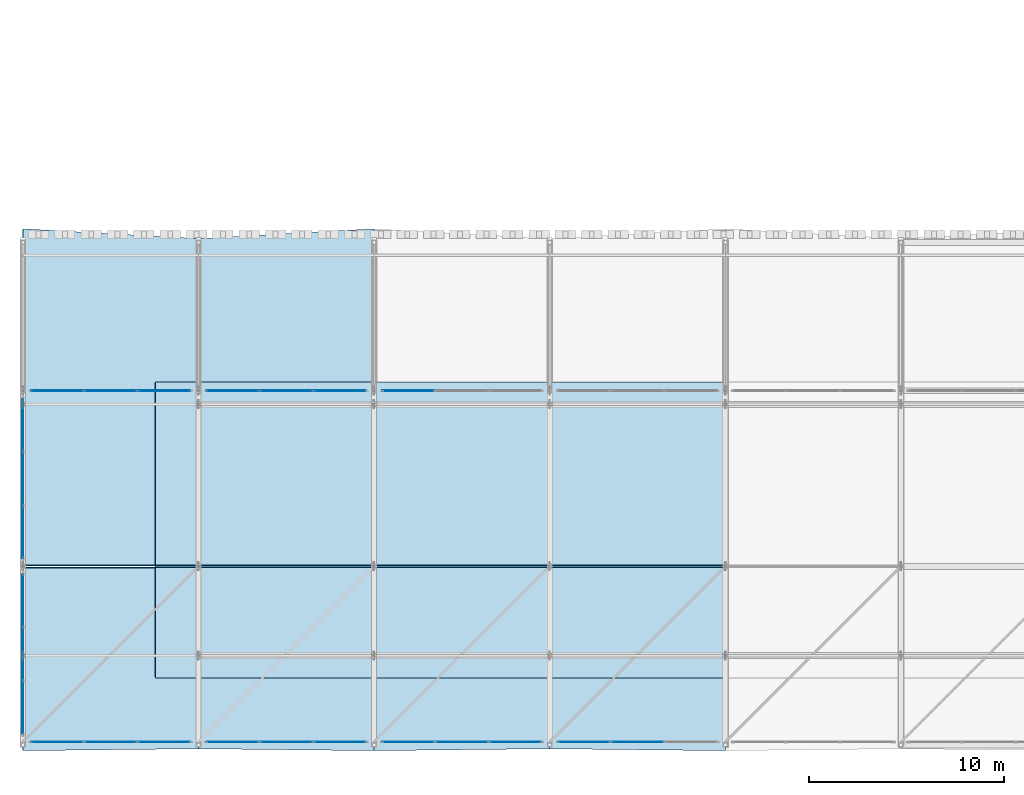
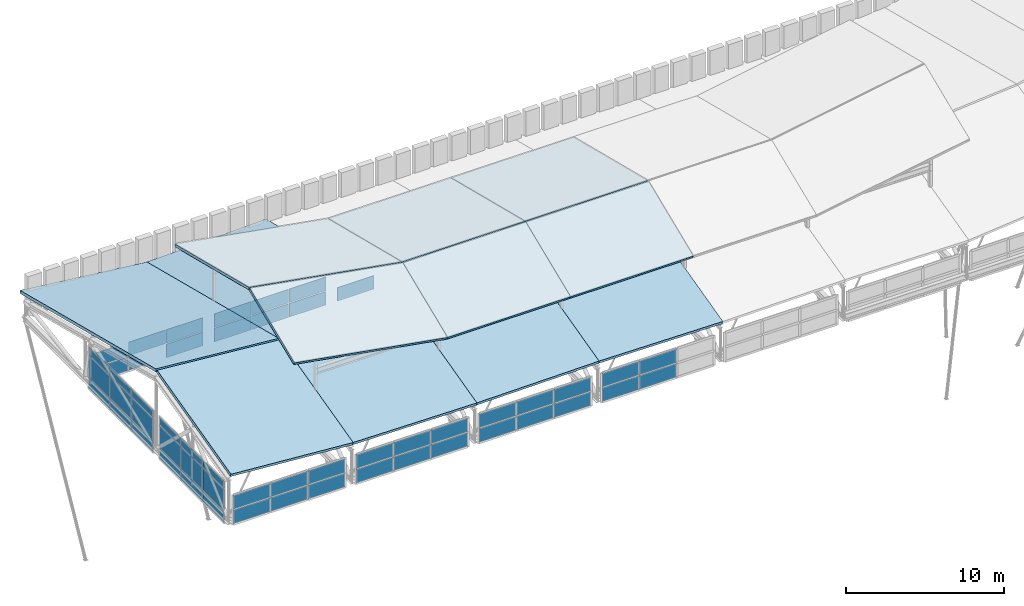
# One storey, part 31 of 42: 53 plates, 12 slabs, 9 elements without a shape of their own.
"""IFC4 building model written with IfcOpenShell, lengths in metres."""

from ifc_helpers import new_model, si_unit, direction, frame, origin, origin_2d, place, context, subcontext, project, spatial, polyline, rectangle, outline, extrude, material, layer, layer_set, type_object, element, aggregate, save


model = new_model("IFC4")

# Units and contexts
model_context = context("Model", 3, precision=1e-05, world=origin(), true_north=direction((0.0, 1.0)))
body_context = subcontext(model_context, "Body", "Model", "MODEL_VIEW")
ifc_project = project(units=[si_unit("LENGTHUNIT", "METRE"), si_unit("AREAUNIT", "SQUARE_METRE"), si_unit("VOLUMEUNIT", "CUBIC_METRE"), si_unit("PLANEANGLEUNIT", "RADIAN"), si_unit("MASSUNIT", "GRAM", prefix="KILO")], contexts=[model_context])

# Site, building, storey
site_placement = place(None, origin())
site = spatial("IfcSite", under=ifc_project, at=site_placement, CompositionType="ELEMENT")
building_placement = place(site_placement, origin())
building = spatial("IfcBuilding", under=site, at=building_placement, Name="Bozkorgan Art Gallery", CompositionType="ELEMENT")
storey_placement = place(building_placement, frame((0.0, 0.0, 28.800048828125)))
storey = spatial("IfcBuildingStorey", under=building, at=storey_placement, Name="RF", CompositionType="ELEMENT", Elevation=28.800048828125)

# Curtain wall, plates
ifc_material_1 = material(Name="Anodised Bronze Aluminium", Category="aluminium")
curtain_wall_type_1 = type_object("IfcCurtainWallType", Name="CW-CW-28", PredefinedType="NOTDEFINED", material=ifc_material_1)
curtain_wall_1_placement = place(storey_placement, origin())
curtain_wall_1 = element("IfcCurtainWall", 1, at=curtain_wall_1_placement, inside=storey, type_object=curtain_wall_type_1, Name="RF unitised curtain wall CW-RF-V1-S-2", PredefinedType="NOTDEFINED")
ifc_material_2 = material(Name="Triple Low-E Laminated Glass", Category="glass")
ifc_layer_1 = layer(ifc_material_2, 0.0439453125, Name="Triple Low-E Laminated Glass")
ifc_layer_set_1 = layer_set([ifc_layer_1], Name="Triple Low-E Laminated Glass")
plate_type = type_object("IfcPlateType", Name="CWP-GLZ", PredefinedType="CURTAIN_PANEL", material=ifc_layer_set_1)
plate_1_placement = place(storey_placement, frame((3.75634765625, 2.0, -0.25), z_axis=(0.0, 0.0, 1.0), x_axis=(1.0, 0.0, 0.0)))
plate_1 = element("IfcPlate", 2, at=plate_1_placement, type_object=plate_type, Name="CW-28 panel 1.1", PredefinedType="CURTAIN_PANEL", context=body_context, shape_type="SweptSolid", body=[
    extrude(rectangle(XDim=2.66259765625, YDim=0.0439453125, at=origin_2d()), origin(), (0.0, 0.0, 1.0), 1.050537109375),
])
plate_2_placement = place(storey_placement, frame((3.75634765625, 2.0, 0.87548828125), z_axis=(0.0, 0.0, 1.0), x_axis=(1.0, 0.0, 0.0)))
plate_2 = element("IfcPlate", 3, at=plate_2_placement, type_object=plate_type, Name="CW-28 panel 1.2", PredefinedType="CURTAIN_PANEL", context=body_context, shape_type="SweptSolid", body=[
    extrude(rectangle(XDim=2.66259765625, YDim=0.0439453125, at=origin_2d()), origin(), (0.0, 0.0, 1.0), 1.049560546875),
])
plate_3_placement = place(storey_placement, frame((6.5, 2.0, -0.25), z_axis=(0.0, 0.0, 1.0), x_axis=(1.0, 0.0, 0.0)))
plate_3 = element("IfcPlate", 4, at=plate_3_placement, type_object=plate_type, Name="CW-28 panel 2.1", PredefinedType="CURTAIN_PANEL", context=body_context, shape_type="SweptSolid", body=[
    extrude(rectangle(XDim=2.695068359375, YDim=0.0439453125, at=origin_2d()), origin(), (0.0, 0.0, 1.0), 1.050537109375),
])
plate_4_placement = place(storey_placement, frame((6.5, 2.0, 0.87548828125), z_axis=(0.0, 0.0, 1.0), x_axis=(1.0, 0.0, 0.0)))
plate_4 = element("IfcPlate", 5, at=plate_4_placement, type_object=plate_type, Name="CW-28 panel 2.2", PredefinedType="CURTAIN_PANEL", context=body_context, shape_type="SweptSolid", body=[
    extrude(rectangle(XDim=2.695068359375, YDim=0.0439453125, at=origin_2d()), origin(), (0.0, 0.0, 1.0), 1.049560546875),
])
plate_5_placement = place(storey_placement, frame((9.24365234375, 2.0, -0.25), z_axis=(0.0, 0.0, 1.0), x_axis=(1.0, 0.0, 0.0)))
plate_5 = element("IfcPlate", 6, at=plate_5_placement, type_object=plate_type, Name="CW-28 panel 3.1", PredefinedType="CURTAIN_PANEL", context=body_context, shape_type="SweptSolid", body=[
    extrude(rectangle(XDim=2.66259765625, YDim=0.0439453125, at=origin_2d()), origin(), (0.0, 0.0, 1.0), 1.050537109375),
])
plate_6_placement = place(storey_placement, frame((9.24365234375, 2.0, 0.87548828125), z_axis=(0.0, 0.0, 1.0), x_axis=(1.0, 0.0, 0.0)))
plate_6 = element("IfcPlate", 7, at=plate_6_placement, type_object=plate_type, Name="CW-28 panel 3.2", PredefinedType="CURTAIN_PANEL", context=body_context, shape_type="SweptSolid", body=[
    extrude(rectangle(XDim=2.66259765625, YDim=0.0439453125, at=origin_2d()), origin(), (0.0, 0.0, 1.0), 1.049560546875),
])
aggregate(curtain_wall_1, [plate_1, plate_2, plate_3, plate_4, plate_5, plate_6])

curtain_wall_2_placement = place(storey_placement, origin())
curtain_wall_2 = element("IfcCurtainWall", 8, at=curtain_wall_2_placement, inside=storey, type_object=curtain_wall_type_1, Name="RF unitised curtain wall CW-RF-V1-N-2", PredefinedType="NOTDEFINED")
plate_7_placement = place(storey_placement, frame((3.75634765625, 20.0, -0.25), z_axis=(0.0, 0.0, 1.0), x_axis=(1.0, 0.0, 0.0)))
plate_7 = element("IfcPlate", 9, at=plate_7_placement, type_object=plate_type, Name="CW-28 panel 1.1", PredefinedType="CURTAIN_PANEL", context=body_context, shape_type="SweptSolid", body=[
    extrude(rectangle(XDim=2.66259765625, YDim=0.0439453125, at=origin_2d()), origin(), (0.0, 0.0, 1.0), 1.050537109375),
])
plate_8_placement = place(storey_placement, frame((3.75634765625, 20.0, 0.87548828125), z_axis=(0.0, 0.0, 1.0), x_axis=(1.0, 0.0, 0.0)))
plate_8 = element("IfcPlate", 10, at=plate_8_placement, type_object=plate_type, Name="CW-28 panel 1.2", PredefinedType="CURTAIN_PANEL", context=body_context, shape_type="SweptSolid", body=[
    extrude(rectangle(XDim=2.66259765625, YDim=0.0439453125, at=origin_2d()), origin(), (0.0, 0.0, 1.0), 1.049560546875),
])
plate_9_placement = place(storey_placement, frame((6.5, 20.0, -0.25), z_axis=(0.0, 0.0, 1.0), x_axis=(1.0, 0.0, 0.0)))
plate_9 = element("IfcPlate", 11, at=plate_9_placement, type_object=plate_type, Name="CW-28 panel 2.1", PredefinedType="CURTAIN_PANEL", context=body_context, shape_type="SweptSolid", body=[
    extrude(rectangle(XDim=2.695068359375, YDim=0.0439453125, at=origin_2d()), origin(), (0.0, 0.0, 1.0), 1.050537109375),
])
plate_10_placement = place(storey_placement, frame((6.5, 20.0, 0.87548828125), z_axis=(0.0, 0.0, 1.0), x_axis=(1.0, 0.0, 0.0)))
plate_10 = element("IfcPlate", 12, at=plate_10_placement, type_object=plate_type, Name="CW-28 panel 2.2", PredefinedType="CURTAIN_PANEL", context=body_context, shape_type="SweptSolid", body=[
    extrude(rectangle(XDim=2.695068359375, YDim=0.0439453125, at=origin_2d()), origin(), (0.0, 0.0, 1.0), 1.049560546875),
])
plate_11_placement = place(storey_placement, frame((9.24365234375, 20.0, -0.25), z_axis=(0.0, 0.0, 1.0), x_axis=(1.0, 0.0, 0.0)))
plate_11 = element("IfcPlate", 13, at=plate_11_placement, type_object=plate_type, Name="CW-28 panel 3.1", PredefinedType="CURTAIN_PANEL", context=body_context, shape_type="SweptSolid", body=[
    extrude(rectangle(XDim=2.66259765625, YDim=0.0439453125, at=origin_2d()), origin(), (0.0, 0.0, 1.0), 1.050537109375),
])
plate_12_placement = place(storey_placement, frame((9.24365234375, 20.0, 0.87548828125), z_axis=(0.0, 0.0, 1.0), x_axis=(1.0, 0.0, 0.0)))
plate_12 = element("IfcPlate", 14, at=plate_12_placement, type_object=plate_type, Name="CW-28 panel 3.2", PredefinedType="CURTAIN_PANEL", context=body_context, shape_type="SweptSolid", body=[
    extrude(rectangle(XDim=2.66259765625, YDim=0.0439453125, at=origin_2d()), origin(), (0.0, 0.0, 1.0), 1.049560546875),
])
aggregate(curtain_wall_2, [plate_7, plate_8, plate_9, plate_10, plate_11, plate_12])

curtain_wall_3_placement = place(storey_placement, origin())
curtain_wall_3 = element("IfcCurtainWall", 15, at=curtain_wall_3_placement, inside=storey, type_object=curtain_wall_type_1, Name="RF unitised curtain wall CW-RF-V1-S-11", PredefinedType="NOTDEFINED")
plate_13_placement = place(storey_placement, frame((12.75634765625, 2.0, -0.25), z_axis=(0.0, 0.0, 1.0), x_axis=(1.0, 0.0, 0.0)))
plate_13 = element("IfcPlate", 16, at=plate_13_placement, type_object=plate_type, Name="CW-28 panel 1.1", PredefinedType="CURTAIN_PANEL", context=body_context, shape_type="SweptSolid", body=[
    extrude(rectangle(XDim=2.66259765625, YDim=0.0439453125, at=origin_2d()), origin(), (0.0, 0.0, 1.0), 1.050537109375),
])
plate_14_placement = place(storey_placement, frame((12.75634765625, 2.0, 0.87548828125), z_axis=(0.0, 0.0, 1.0), x_axis=(1.0, 0.0, 0.0)))
plate_14 = element("IfcPlate", 17, at=plate_14_placement, type_object=plate_type, Name="CW-28 panel 1.2", PredefinedType="CURTAIN_PANEL", context=body_context, shape_type="SweptSolid", body=[
    extrude(rectangle(XDim=2.66259765625, YDim=0.0439453125, at=origin_2d()), origin(), (0.0, 0.0, 1.0), 1.049560546875),
])
plate_15_placement = place(storey_placement, frame((15.5, 2.0, -0.25), z_axis=(0.0, 0.0, 1.0), x_axis=(1.0, 0.0, 0.0)))
plate_15 = element("IfcPlate", 18, at=plate_15_placement, type_object=plate_type, Name="CW-28 panel 2.1", PredefinedType="CURTAIN_PANEL", context=body_context, shape_type="SweptSolid", body=[
    extrude(rectangle(XDim=2.695068359375, YDim=0.0439453125, at=origin_2d()), origin(), (0.0, 0.0, 1.0), 1.050537109375),
])
plate_16_placement = place(storey_placement, frame((15.5, 2.0, 0.87548828125), z_axis=(0.0, 0.0, 1.0), x_axis=(1.0, 0.0, 0.0)))
plate_16 = element("IfcPlate", 19, at=plate_16_placement, type_object=plate_type, Name="CW-28 panel 2.2", PredefinedType="CURTAIN_PANEL", context=body_context, shape_type="SweptSolid", body=[
    extrude(rectangle(XDim=2.695068359375, YDim=0.0439453125, at=origin_2d()), origin(), (0.0, 0.0, 1.0), 1.049560546875),
])
plate_17_placement = place(storey_placement, frame((18.24365234375, 2.0, -0.25), z_axis=(0.0, 0.0, 1.0), x_axis=(1.0, 0.0, 0.0)))
plate_17 = element("IfcPlate", 20, at=plate_17_placement, type_object=plate_type, Name="CW-28 panel 3.1", PredefinedType="CURTAIN_PANEL", context=body_context, shape_type="SweptSolid", body=[
    extrude(rectangle(XDim=2.66259765625, YDim=0.0439453125, at=origin_2d()), origin(), (0.0, 0.0, 1.0), 1.050537109375),
])
plate_18_placement = place(storey_placement, frame((18.24365234375, 2.0, 0.87548828125), z_axis=(0.0, 0.0, 1.0), x_axis=(1.0, 0.0, 0.0)))
plate_18 = element("IfcPlate", 21, at=plate_18_placement, type_object=plate_type, Name="CW-28 panel 3.2", PredefinedType="CURTAIN_PANEL", context=body_context, shape_type="SweptSolid", body=[
    extrude(rectangle(XDim=2.66259765625, YDim=0.0439453125, at=origin_2d()), origin(), (0.0, 0.0, 1.0), 1.049560546875),
])
aggregate(curtain_wall_3, [plate_13, plate_14, plate_15, plate_16, plate_17, plate_18])

curtain_wall_4_placement = place(storey_placement, origin())
curtain_wall_4 = element("IfcCurtainWall", 22, at=curtain_wall_4_placement, inside=storey, type_object=curtain_wall_type_1, Name="RF unitised curtain wall CW-RF-V1-N-11", PredefinedType="NOTDEFINED")
plate_19_placement = place(storey_placement, frame((12.75634765625, 20.0, -0.25), z_axis=(0.0, 0.0, 1.0), x_axis=(1.0, 0.0, 0.0)))
plate_19 = element("IfcPlate", 23, at=plate_19_placement, type_object=plate_type, Name="CW-28 panel 1.1", PredefinedType="CURTAIN_PANEL", context=body_context, shape_type="SweptSolid", body=[
    extrude(rectangle(XDim=2.66259765625, YDim=0.0439453125, at=origin_2d()), origin(), (0.0, 0.0, 1.0), 1.050537109375),
])
plate_20_placement = place(storey_placement, frame((12.75634765625, 20.0, 0.87548828125), z_axis=(0.0, 0.0, 1.0), x_axis=(1.0, 0.0, 0.0)))
plate_20 = element("IfcPlate", 24, at=plate_20_placement, type_object=plate_type, Name="CW-28 panel 1.2", PredefinedType="CURTAIN_PANEL", context=body_context, shape_type="SweptSolid", body=[
    extrude(rectangle(XDim=2.66259765625, YDim=0.0439453125, at=origin_2d()), origin(), (0.0, 0.0, 1.0), 1.049560546875),
])
plate_21_placement = place(storey_placement, frame((15.5, 20.0, -0.25), z_axis=(0.0, 0.0, 1.0), x_axis=(1.0, 0.0, 0.0)))
plate_21 = element("IfcPlate", 25, at=plate_21_placement, type_object=plate_type, Name="CW-28 panel 2.1", PredefinedType="CURTAIN_PANEL", context=body_context, shape_type="SweptSolid", body=[
    extrude(rectangle(XDim=2.695068359375, YDim=0.0439453125, at=origin_2d()), origin(), (0.0, 0.0, 1.0), 1.050537109375),
])
plate_22_placement = place(storey_placement, frame((15.5, 20.0, 0.87548828125), z_axis=(0.0, 0.0, 1.0), x_axis=(1.0, 0.0, 0.0)))
plate_22 = element("IfcPlate", 26, at=plate_22_placement, type_object=plate_type, Name="CW-28 panel 2.2", PredefinedType="CURTAIN_PANEL", context=body_context, shape_type="SweptSolid", body=[
    extrude(rectangle(XDim=2.695068359375, YDim=0.0439453125, at=origin_2d()), origin(), (0.0, 0.0, 1.0), 1.049560546875),
])
plate_23_placement = place(storey_placement, frame((18.24365234375, 20.0, -0.25), z_axis=(0.0, 0.0, 1.0), x_axis=(1.0, 0.0, 0.0)))
plate_23 = element("IfcPlate", 27, at=plate_23_placement, type_object=plate_type, Name="CW-28 panel 3.1", PredefinedType="CURTAIN_PANEL", context=body_context, shape_type="SweptSolid", body=[
    extrude(rectangle(XDim=2.66259765625, YDim=0.0439453125, at=origin_2d()), origin(), (0.0, 0.0, 1.0), 1.050537109375),
])
plate_24_placement = place(storey_placement, frame((18.24365234375, 20.0, 0.87548828125), z_axis=(0.0, 0.0, 1.0), x_axis=(1.0, 0.0, 0.0)))
plate_24 = element("IfcPlate", 28, at=plate_24_placement, type_object=plate_type, Name="CW-28 panel 3.2", PredefinedType="CURTAIN_PANEL", context=body_context, shape_type="SweptSolid", body=[
    extrude(rectangle(XDim=2.66259765625, YDim=0.0439453125, at=origin_2d()), origin(), (0.0, 0.0, 1.0), 1.049560546875),
])
aggregate(curtain_wall_4, [plate_19, plate_20, plate_21, plate_22, plate_23, plate_24])

curtain_wall_5_placement = place(storey_placement, origin())
curtain_wall_5 = element("IfcCurtainWall", 29, at=curtain_wall_5_placement, inside=storey, type_object=curtain_wall_type_1, Name="RF unitised curtain wall CW-RF-V1-S-20", PredefinedType="NOTDEFINED")
plate_25_placement = place(storey_placement, frame((21.75634765625, 2.0, -0.25), z_axis=(0.0, 0.0, 1.0), x_axis=(1.0, 0.0, 0.0)))
plate_25 = element("IfcPlate", 30, at=plate_25_placement, type_object=plate_type, Name="CW-28 panel 1.1", PredefinedType="CURTAIN_PANEL", context=body_context, shape_type="SweptSolid", body=[
    extrude(rectangle(XDim=2.66259765625, YDim=0.0439453125, at=origin_2d()), origin(), (0.0, 0.0, 1.0), 1.050537109375),
])
plate_26_placement = place(storey_placement, frame((21.75634765625, 2.0, 0.87548828125), z_axis=(0.0, 0.0, 1.0), x_axis=(1.0, 0.0, 0.0)))
plate_26 = element("IfcPlate", 31, at=plate_26_placement, type_object=plate_type, Name="CW-28 panel 1.2", PredefinedType="CURTAIN_PANEL", context=body_context, shape_type="SweptSolid", body=[
    extrude(rectangle(XDim=2.66259765625, YDim=0.0439453125, at=origin_2d()), origin(), (0.0, 0.0, 1.0), 1.049560546875),
])
plate_27_placement = place(storey_placement, frame((24.5, 2.0, -0.25), z_axis=(0.0, 0.0, 1.0), x_axis=(1.0, 0.0, 0.0)))
plate_27 = element("IfcPlate", 32, at=plate_27_placement, type_object=plate_type, Name="CW-28 panel 2.1", PredefinedType="CURTAIN_PANEL", context=body_context, shape_type="SweptSolid", body=[
    extrude(rectangle(XDim=2.695068359375, YDim=0.0439453125, at=origin_2d()), origin(), (0.0, 0.0, 1.0), 1.050537109375),
])
plate_28_placement = place(storey_placement, frame((24.5, 2.0, 0.87548828125), z_axis=(0.0, 0.0, 1.0), x_axis=(1.0, 0.0, 0.0)))
plate_28 = element("IfcPlate", 33, at=plate_28_placement, type_object=plate_type, Name="CW-28 panel 2.2", PredefinedType="CURTAIN_PANEL", context=body_context, shape_type="SweptSolid", body=[
    extrude(rectangle(XDim=2.695068359375, YDim=0.0439453125, at=origin_2d()), origin(), (0.0, 0.0, 1.0), 1.049560546875),
])
plate_29_placement = place(storey_placement, frame((27.24365234375, 2.0, -0.25), z_axis=(0.0, 0.0, 1.0), x_axis=(1.0, 0.0, 0.0)))
plate_29 = element("IfcPlate", 34, at=plate_29_placement, type_object=plate_type, Name="CW-28 panel 3.1", PredefinedType="CURTAIN_PANEL", context=body_context, shape_type="SweptSolid", body=[
    extrude(rectangle(XDim=2.66259765625, YDim=0.0439453125, at=origin_2d()), origin(), (0.0, 0.0, 1.0), 1.050537109375),
])
plate_30_placement = place(storey_placement, frame((27.24365234375, 2.0, 0.87548828125), z_axis=(0.0, 0.0, 1.0), x_axis=(1.0, 0.0, 0.0)))
plate_30 = element("IfcPlate", 35, at=plate_30_placement, type_object=plate_type, Name="CW-28 panel 3.2", PredefinedType="CURTAIN_PANEL", context=body_context, shape_type="SweptSolid", body=[
    extrude(rectangle(XDim=2.66259765625, YDim=0.0439453125, at=origin_2d()), origin(), (0.0, 0.0, 1.0), 1.049560546875),
])
aggregate(curtain_wall_5, [plate_25, plate_26, plate_27, plate_28, plate_29, plate_30])

# Curtain wall, plate
curtain_wall_6_placement = place(storey_placement, origin())
curtain_wall_6 = element("IfcCurtainWall", 36, at=curtain_wall_6_placement, inside=storey, type_object=curtain_wall_type_1, Name="RF unitised curtain wall CW-RF-V1-N-20", PredefinedType="NOTDEFINED")
plate_31_placement = place(storey_placement, frame((21.75634765625, 20.0, -0.25), z_axis=(0.0, 0.0, 1.0), x_axis=(1.0, 0.0, 0.0)))
plate_31 = element("IfcPlate", 37, at=plate_31_placement, type_object=plate_type, Name="CW-28 panel 1.1", PredefinedType="CURTAIN_PANEL", context=body_context, shape_type="SweptSolid", body=[
    extrude(rectangle(XDim=2.66259765625, YDim=0.0439453125, at=origin_2d()), origin(), (0.0, 0.0, 1.0), 1.050537109375),
])
aggregate(curtain_wall_6, [plate_31])

# Curtain wall, plates
curtain_wall_7_placement = place(storey_placement, origin())
curtain_wall_7 = element("IfcCurtainWall", 38, at=curtain_wall_7_placement, inside=storey, type_object=curtain_wall_type_1, Name="RF unitised curtain wall CW-RF-V1-S-29", PredefinedType="NOTDEFINED")
plate_32_placement = place(storey_placement, frame((30.75634765625, 2.0, -0.25), z_axis=(0.0, 0.0, 1.0), x_axis=(1.0, 0.0, 0.0)))
plate_32 = element("IfcPlate", 39, at=plate_32_placement, type_object=plate_type, Name="CW-28 panel 1.1", PredefinedType="CURTAIN_PANEL", context=body_context, shape_type="SweptSolid", body=[
    extrude(rectangle(XDim=2.66259765625, YDim=0.0439453125, at=origin_2d()), origin(), (0.0, 0.0, 1.0), 1.050537109375),
])
plate_33_placement = place(storey_placement, frame((30.75634765625, 2.0, 0.87548828125), z_axis=(0.0, 0.0, 1.0), x_axis=(1.0, 0.0, 0.0)))
plate_33 = element("IfcPlate", 40, at=plate_33_placement, type_object=plate_type, Name="CW-28 panel 1.2", PredefinedType="CURTAIN_PANEL", context=body_context, shape_type="SweptSolid", body=[
    extrude(rectangle(XDim=2.66259765625, YDim=0.0439453125, at=origin_2d()), origin(), (0.0, 0.0, 1.0), 1.049560546875),
])
plate_34_placement = place(storey_placement, frame((33.5, 2.0, -0.25), z_axis=(0.0, 0.0, 1.0), x_axis=(1.0, 0.0, 0.0)))
plate_34 = element("IfcPlate", 41, at=plate_34_placement, type_object=plate_type, Name="CW-28 panel 2.1", PredefinedType="CURTAIN_PANEL", context=body_context, shape_type="SweptSolid", body=[
    extrude(rectangle(XDim=2.695068359375, YDim=0.0439453125, at=origin_2d()), origin(), (0.0, 0.0, 1.0), 1.050537109375),
])
plate_35_placement = place(storey_placement, frame((33.5, 2.0, 0.87548828125), z_axis=(0.0, 0.0, 1.0), x_axis=(1.0, 0.0, 0.0)))
plate_35 = element("IfcPlate", 42, at=plate_35_placement, type_object=plate_type, Name="CW-28 panel 2.2", PredefinedType="CURTAIN_PANEL", context=body_context, shape_type="SweptSolid", body=[
    extrude(rectangle(XDim=2.695068359375, YDim=0.0439453125, at=origin_2d()), origin(), (0.0, 0.0, 1.0), 1.049560546875),
])
aggregate(curtain_wall_7, [plate_32, plate_33, plate_34, plate_35])

curtain_wall_type_2 = type_object("IfcCurtainWallType", Name="CW-CW-62", PredefinedType="NOTDEFINED", material=ifc_material_1)
curtain_wall_8_placement = place(storey_placement, origin())
curtain_wall_8 = element("IfcCurtainWall", 43, at=curtain_wall_8_placement, inside=storey, type_object=curtain_wall_type_2, Name="RF unitised curtain wall CW-RF-V1-W-2", PredefinedType="NOTDEFINED")
plate_36_placement = place(storey_placement, frame((2.0, 3.75634765625, -0.25), z_axis=(0.0, 0.0, 1.0), x_axis=(0.0, 1.0, 0.0)))
plate_36 = element("IfcPlate", 44, at=plate_36_placement, type_object=plate_type, Name="CW-62 panel 1.1", PredefinedType="CURTAIN_PANEL", context=body_context, shape_type="SweptSolid", body=[
    extrude(rectangle(XDim=2.66259765625, YDim=0.0439453125, at=origin_2d()), origin(), (0.0, 0.0, 1.0), 0.78759765625),
])
plate_37_placement = place(storey_placement, frame((2.0, 3.75634765625, 0.6123046875), z_axis=(0.0, 0.0, 1.0), x_axis=(0.0, 1.0, 0.0)))
plate_37 = element("IfcPlate", 45, at=plate_37_placement, type_object=plate_type, Name="CW-62 panel 1.2", PredefinedType="CURTAIN_PANEL", context=body_context, shape_type="SweptSolid", body=[
    extrude(rectangle(XDim=2.66259765625, YDim=0.0439453125, at=origin_2d()), origin(), (0.0, 0.0, 1.0), 1.699951171875),
])
plate_38_placement = place(storey_placement, frame((2.0, 3.75634765625, 2.387451171875), z_axis=(0.0, 0.0, 1.0), x_axis=(0.0, 1.0, 0.0)))
plate_38 = element("IfcPlate", 46, at=plate_38_placement, type_object=plate_type, Name="CW-62 panel 1.3", PredefinedType="CURTAIN_PANEL", context=body_context, shape_type="SweptSolid", body=[
    extrude(rectangle(XDim=2.66259765625, YDim=0.0439453125, at=origin_2d()), origin(), (0.0, 0.0, 1.0), 0.53759765625),
])
plate_39_placement = place(storey_placement, frame((2.0, 6.5, -0.25), z_axis=(0.0, 0.0, 1.0), x_axis=(0.0, 1.0, 0.0)))
plate_39 = element("IfcPlate", 47, at=plate_39_placement, type_object=plate_type, Name="CW-62 panel 2.1", PredefinedType="CURTAIN_PANEL", context=body_context, shape_type="SweptSolid", body=[
    extrude(rectangle(XDim=2.695068359375, YDim=0.0439453125, at=origin_2d()), origin(), (0.0, 0.0, 1.0), 0.78759765625),
])
plate_40_placement = place(storey_placement, frame((2.0, 6.5, 0.6123046875), z_axis=(0.0, 0.0, 1.0), x_axis=(0.0, 1.0, 0.0)))
plate_40 = element("IfcPlate", 48, at=plate_40_placement, type_object=plate_type, Name="CW-62 panel 2.2", PredefinedType="CURTAIN_PANEL", context=body_context, shape_type="SweptSolid", body=[
    extrude(rectangle(XDim=2.695068359375, YDim=0.0439453125, at=origin_2d()), origin(), (0.0, 0.0, 1.0), 1.699951171875),
])
plate_41_placement = place(storey_placement, frame((2.0, 6.5, 2.387451171875), z_axis=(0.0, 0.0, 1.0), x_axis=(0.0, 1.0, 0.0)))
plate_41 = element("IfcPlate", 49, at=plate_41_placement, type_object=plate_type, Name="CW-62 panel 2.3", PredefinedType="CURTAIN_PANEL", context=body_context, shape_type="SweptSolid", body=[
    extrude(rectangle(XDim=2.695068359375, YDim=0.0439453125, at=origin_2d()), origin(), (0.0, 0.0, 1.0), 0.53759765625),
])
plate_42_placement = place(storey_placement, frame((2.0, 9.24365234375, -0.25), z_axis=(0.0, 0.0, 1.0), x_axis=(0.0, 1.0, 0.0)))
plate_42 = element("IfcPlate", 50, at=plate_42_placement, type_object=plate_type, Name="CW-62 panel 3.1", PredefinedType="CURTAIN_PANEL", context=body_context, shape_type="SweptSolid", body=[
    extrude(rectangle(XDim=2.66259765625, YDim=0.0439453125, at=origin_2d()), origin(), (0.0, 0.0, 1.0), 0.78759765625),
])
plate_43_placement = place(storey_placement, frame((2.0, 9.24365234375, 0.6123046875), z_axis=(0.0, 0.0, 1.0), x_axis=(0.0, 1.0, 0.0)))
plate_43 = element("IfcPlate", 51, at=plate_43_placement, type_object=plate_type, Name="CW-62 panel 3.2", PredefinedType="CURTAIN_PANEL", context=body_context, shape_type="SweptSolid", body=[
    extrude(rectangle(XDim=2.66259765625, YDim=0.0439453125, at=origin_2d()), origin(), (0.0, 0.0, 1.0), 1.699951171875),
])
plate_44_placement = place(storey_placement, frame((2.0, 9.24365234375, 2.387451171875), z_axis=(0.0, 0.0, 1.0), x_axis=(0.0, 1.0, 0.0)))
plate_44 = element("IfcPlate", 52, at=plate_44_placement, type_object=plate_type, Name="CW-62 panel 3.3", PredefinedType="CURTAIN_PANEL", context=body_context, shape_type="SweptSolid", body=[
    extrude(rectangle(XDim=2.66259765625, YDim=0.0439453125, at=origin_2d()), origin(), (0.0, 0.0, 1.0), 0.53759765625),
])
aggregate(curtain_wall_8, [plate_36, plate_37, plate_38, plate_39, plate_40, plate_41, plate_42, plate_43, plate_44])

curtain_wall_9_placement = place(storey_placement, origin())
curtain_wall_9 = element("IfcCurtainWall", 53, at=curtain_wall_9_placement, inside=storey, type_object=curtain_wall_type_2, Name="RF unitised curtain wall CW-RF-V1-W-11", PredefinedType="NOTDEFINED")
plate_45_placement = place(storey_placement, frame((2.0, 12.75634765625, -0.25), z_axis=(0.0, 0.0, 1.0), x_axis=(0.0, 1.0, 0.0)))
plate_45 = element("IfcPlate", 54, at=plate_45_placement, type_object=plate_type, Name="CW-62 panel 1.1", PredefinedType="CURTAIN_PANEL", context=body_context, shape_type="SweptSolid", body=[
    extrude(rectangle(XDim=2.66259765625, YDim=0.0439453125, at=origin_2d()), origin(), (0.0, 0.0, 1.0), 0.78759765625),
])
plate_46_placement = place(storey_placement, frame((2.0, 12.75634765625, 0.6123046875), z_axis=(0.0, 0.0, 1.0), x_axis=(0.0, 1.0, 0.0)))
plate_46 = element("IfcPlate", 55, at=plate_46_placement, type_object=plate_type, Name="CW-62 panel 1.2", PredefinedType="CURTAIN_PANEL", context=body_context, shape_type="SweptSolid", body=[
    extrude(rectangle(XDim=2.66259765625, YDim=0.0439453125, at=origin_2d()), origin(), (0.0, 0.0, 1.0), 1.699951171875),
])
plate_47_placement = place(storey_placement, frame((2.0, 12.75634765625, 2.387451171875), z_axis=(0.0, 0.0, 1.0), x_axis=(0.0, 1.0, 0.0)))
plate_47 = element("IfcPlate", 56, at=plate_47_placement, type_object=plate_type, Name="CW-62 panel 1.3", PredefinedType="CURTAIN_PANEL", context=body_context, shape_type="SweptSolid", body=[
    extrude(rectangle(XDim=2.66259765625, YDim=0.0439453125, at=origin_2d()), origin(), (0.0, 0.0, 1.0), 0.53759765625),
])
plate_48_placement = place(storey_placement, frame((2.0, 15.5, -0.25), z_axis=(0.0, 0.0, 1.0), x_axis=(0.0, 1.0, 0.0)))
plate_48 = element("IfcPlate", 57, at=plate_48_placement, type_object=plate_type, Name="CW-62 panel 2.1", PredefinedType="CURTAIN_PANEL", context=body_context, shape_type="SweptSolid", body=[
    extrude(rectangle(XDim=2.695068359375, YDim=0.0439453125, at=origin_2d()), origin(), (0.0, 0.0, 1.0), 0.78759765625),
])
plate_49_placement = place(storey_placement, frame((2.0, 15.5, 0.6123046875), z_axis=(0.0, 0.0, 1.0), x_axis=(0.0, 1.0, 0.0)))
plate_49 = element("IfcPlate", 58, at=plate_49_placement, type_object=plate_type, Name="CW-62 panel 2.2", PredefinedType="CURTAIN_PANEL", context=body_context, shape_type="SweptSolid", body=[
    extrude(rectangle(XDim=2.695068359375, YDim=0.0439453125, at=origin_2d()), origin(), (0.0, 0.0, 1.0), 1.699951171875),
])
plate_50_placement = place(storey_placement, frame((2.0, 15.5, 2.387451171875), z_axis=(0.0, 0.0, 1.0), x_axis=(0.0, 1.0, 0.0)))
plate_50 = element("IfcPlate", 59, at=plate_50_placement, type_object=plate_type, Name="CW-62 panel 2.3", PredefinedType="CURTAIN_PANEL", context=body_context, shape_type="SweptSolid", body=[
    extrude(rectangle(XDim=2.695068359375, YDim=0.0439453125, at=origin_2d()), origin(), (0.0, 0.0, 1.0), 0.53759765625),
])
plate_51_placement = place(storey_placement, frame((2.0, 18.24365234375, -0.25), z_axis=(0.0, 0.0, 1.0), x_axis=(0.0, 1.0, 0.0)))
plate_51 = element("IfcPlate", 60, at=plate_51_placement, type_object=plate_type, Name="CW-62 panel 3.1", PredefinedType="CURTAIN_PANEL", context=body_context, shape_type="SweptSolid", body=[
    extrude(rectangle(XDim=2.66259765625, YDim=0.0439453125, at=origin_2d()), origin(), (0.0, 0.0, 1.0), 0.78759765625),
])
plate_52_placement = place(storey_placement, frame((2.0, 18.24365234375, 0.6123046875), z_axis=(0.0, 0.0, 1.0), x_axis=(0.0, 1.0, 0.0)))
plate_52 = element("IfcPlate", 61, at=plate_52_placement, type_object=plate_type, Name="CW-62 panel 3.2", PredefinedType="CURTAIN_PANEL", context=body_context, shape_type="SweptSolid", body=[
    extrude(rectangle(XDim=2.66259765625, YDim=0.0439453125, at=origin_2d()), origin(), (0.0, 0.0, 1.0), 1.699951171875),
])
plate_53_placement = place(storey_placement, frame((2.0, 18.24365234375, 2.387451171875), z_axis=(0.0, 0.0, 1.0), x_axis=(0.0, 1.0, 0.0)))
plate_53 = element("IfcPlate", 62, at=plate_53_placement, type_object=plate_type, Name="CW-62 panel 3.3", PredefinedType="CURTAIN_PANEL", context=body_context, shape_type="SweptSolid", body=[
    extrude(rectangle(XDim=2.66259765625, YDim=0.0439453125, at=origin_2d()), origin(), (0.0, 0.0, 1.0), 0.53759765625),
])
aggregate(curtain_wall_9, [plate_45, plate_46, plate_47, plate_48, plate_49, plate_50, plate_51, plate_52, plate_53])

# Slabs
ifc_material_3 = material(Name="Concrete C35/45", Category="concrete")
ifc_layer_2 = layer(ifc_material_3, 0.179931640625, Name="Concrete C35/45")
ifc_layer_set_2 = layer_set([ifc_layer_2], Name="Concrete C35/45")
slab_type_1 = type_object("IfcSlabType", Name="SLAB-RF-25", PredefinedType="ROOF", material=ifc_layer_set_2)
slab_1_placement = place(storey_placement, frame((8.800048828125, 5.27490234375, 7.966796875), z_axis=(0.159656970651, -0.377022318626, 0.912339751946), x_axis=(0.985030922896, 0.0, -0.172377727499)))
element("IfcSlab", 63, at=slab_1_placement, inside=storey, type_object=slab_type_1, Name="ROOF-V1-MAIN stacked swept-eave roof slab 1S", PredefinedType="ROOF", context=body_context, shape_type="SweptSolid", body=[
    extrude(outline(polyline([(0.0, 0.0), (11.370151851620543, 1.1102230246251565e-16), (10.966604481262351, 6.116404162023087), (-0.4035473703581922, 6.116404162023086), (0.0, 0.0)])), origin(), (0.0, 0.0, -1.0), 0.179931640625),
])
slab_2_placement = place(storey_placement, frame((8.800048828125, 11.06005859375, 10.307861328125), z_axis=(0.167403398431, 0.238498543135, 0.956605742778), x_axis=(0.985030922896, 0.0, -0.172377727499)))
element("IfcSlab", 64, at=slab_2_placement, inside=storey, type_object=slab_type_1, Name="ROOF-V1-MAIN stacked swept-eave roof slab 1N", PredefinedType="ROOF", context=body_context, shape_type="SweptSolid", body=[
    extrude(outline(polyline([(0.0, 0.0), (11.370151851620543, 0.0), (11.773699221978735, 9.668909707008822), (0.4035473703581922, 9.66890970700882), (0.0, 0.0)])), origin(), (0.0, 0.0, -1.0), 0.179931640625),
])
slab_3_placement = place(storey_placement, frame((20.0, 5.27490234375, 6.0068359375), z_axis=(0.0, -0.381921394624, 0.92419481081), x_axis=(1.0, 0.0, 0.0)))
element("IfcSlab", 65, at=slab_3_placement, inside=storey, type_object=slab_type_1, Name="ROOF-V1-MAIN stacked swept-eave roof slab 2S", PredefinedType="ROOF", context=body_context, shape_type="SweptSolid", body=[
    extrude(outline(polyline([(0.0, 0.0), (9.0, 0.0), (9.0, 6.129702305441622), (0.0, 6.129702305441622), (0.0, 0.0)])), origin(), (0.0, 0.0, -1.0), 0.179931640625),
])
slab_4_placement = place(storey_placement, frame((20.0, 11.06005859375, 8.347900390625), z_axis=(0.0, 0.241912292404, 0.970298120571), x_axis=(1.0, 0.0, 0.0)))
element("IfcSlab", 66, at=slab_4_placement, inside=storey, type_object=slab_type_1, Name="ROOF-V1-MAIN stacked swept-eave roof slab 2N", PredefinedType="ROOF", context=body_context, shape_type="SweptSolid", body=[
    extrude(outline(polyline([(0.0, 0.0), (9.0, 0.0), (9.0, 9.677327389440352), (0.0, 9.677327389440352), (0.0, 0.0)])), origin(), (0.0, 0.0, -1.0), 0.179931640625),
])
slab_5_placement = place(storey_placement, frame((29.0, 5.27490234375, 6.0068359375), z_axis=(0.0, -0.381921394624, 0.92419481081), x_axis=(1.0, 0.0, 0.0)))
element("IfcSlab", 67, at=slab_5_placement, inside=storey, type_object=slab_type_1, Name="ROOF-V1-MAIN stacked swept-eave roof slab 3S", PredefinedType="ROOF", context=body_context, shape_type="SweptSolid", body=[
    extrude(outline(polyline([(0.0, 0.0), (9.0, 0.0), (9.0, 6.129702305441622), (0.0, 6.129702305441622), (0.0, 0.0)])), origin(), (0.0, 0.0, -1.0), 0.179931640625),
])
slab_6_placement = place(storey_placement, frame((29.0, 11.06005859375, 8.347900390625), z_axis=(0.0, 0.241912292404, 0.970298120571), x_axis=(1.0, 0.0, 0.0)))
element("IfcSlab", 68, at=slab_6_placement, inside=storey, type_object=slab_type_1, Name="ROOF-V1-MAIN stacked swept-eave roof slab 3N", PredefinedType="ROOF", context=body_context, shape_type="SweptSolid", body=[
    extrude(outline(polyline([(0.0, 0.0), (9.0, 0.0), (9.0, 9.677327389440352), (0.0, 9.677327389440352), (0.0, 0.0)])), origin(), (0.0, 0.0, -1.0), 0.179931640625),
])
ifc_layer_3 = layer(ifc_material_3, 0.219970703125, Name="Concrete C35/45")
ifc_layer_set_3 = layer_set([ifc_layer_3], Name="Concrete C35/45")
slab_type_2 = type_object("IfcSlabType", Name="SLAB-RF-44", PredefinedType="ROOF", material=ifc_layer_set_3)
slab_7_placement = place(storey_placement, frame((2.0, 1.550048828125, 3.988525390625), z_axis=(0.083589883887, -0.244457585271, 0.966050319764), x_axis=(0.996452917461, 0.011057092833, -0.083422562786)))
element("IfcSlab", 69, at=slab_7_placement, inside=storey, type_object=slab_type_2, Name="ROOF-V1-MAIN swept-eave pitched roof slab 1S", PredefinedType="ROOF", context=body_context, shape_type="SweptSolid", body=[
    extrude(outline(polyline([(0.0, 0.0), (9.032032404542031, 2.7755575615628914e-17), (8.938847304843287, 9.561741566998379), (-0.0941991611149814, 9.664767612331303), (0.0, 0.0)])), origin(), (0.0, 0.0, -1.0), 0.219970703125),
])
slab_8_placement = place(storey_placement, frame((2.0, 11.080078125, 6.359619140625), z_axis=(0.083586520996, 0.244449187077, 0.966052735851), x_axis=(0.996277651988, 2.47554e-06, -0.08620232098)))
element("IfcSlab", 70, at=slab_8_placement, inside=storey, type_object=slab_type_2, Name="ROOF-V1-MAIN swept-eave pitched roof slab 1N", PredefinedType="ROOF", context=body_context, shape_type="SweptSolid", body=[
    extrude(outline(polyline([(0.0, 0.0), (9.03363397627608, 2.7755575615628914e-17), (9.398372637808079, 17.243065782414494), (0.37566250784425753, 17.758755420497316), (0.0, 0.0)])), origin(), (0.0, 0.0, -1.0), 0.219970703125),
])
slab_9_placement = place(storey_placement, frame((11.0, 1.64990234375, 3.235107421875), z_axis=(6.616048e-06, -0.245316132485, 0.969443136599), x_axis=(0.999934479293, -0.011095731045, -0.002814582247)))
element("IfcSlab", 71, at=slab_9_placement, inside=storey, type_object=slab_type_2, Name="ROOF-V1-MAIN swept-eave pitched roof slab 2S", PredefinedType="ROOF", context=body_context, shape_type="SweptSolid", body=[
    extrude(outline(polyline([(0.0, 0.0), (9.000589725394388, 1.8214596497756474e-17), (8.889950495769096, 9.664593392541976), (-0.1094598178696897, 9.561569107898432), (0.0, 0.0)])), origin(), (0.0, 0.0, -1.0), 0.219970703125),
])
slab_10_placement = place(storey_placement, frame((11.0, 11.080078125, 5.580810546875), z_axis=(1.0200556e-05, 0.245307635348, 0.969445286716), x_axis=(0.999999999948, -2.502274e-06, -9.888881e-06)))
element("IfcSlab", 72, at=slab_10_placement, inside=storey, type_object=slab_type_2, Name="ROOF-V1-MAIN swept-eave pitched roof slab 2N", PredefinedType="ROOF", context=body_context, shape_type="SweptSolid", body=[
    extrude(outline(polyline([(0.0, 0.0), (8.99999999953177, -3.8116482626443515e-21), (9.000000000468232, 17.762728292826633), (-9.36462134542486e-10, 17.246922968107405), (0.0, 0.0)])), origin(), (0.0, 0.0, -1.0), 0.219970703125),
])
slab_11_placement = place(storey_placement, frame((20.0, 1.550048828125, 3.209716796875), z_axis=(-6.616048e-06, -0.245316132485, 0.969443136599), x_axis=(0.999934479293, 0.011095731045, 0.002814582247)))
element("IfcSlab", 73, at=slab_11_placement, inside=storey, type_object=slab_type_2, Name="ROOF-V1-MAIN swept-eave pitched roof slab 3S", PredefinedType="ROOF", context=body_context, shape_type="SweptSolid", body=[
    extrude(outline(polyline([(0.0, 0.0), (9.000589725394388, -1.8214596497756474e-17), (9.110049543264077, 9.561569107898434), (0.11063922962529195, 9.664593392541978), (0.0, 0.0)])), origin(), (0.0, 0.0, -1.0), 0.219970703125),
])
slab_12_placement = place(storey_placement, frame((29.0, 1.64990234375, 3.235107421875), z_axis=(6.616048e-06, -0.245316132485, 0.969443136599), x_axis=(0.999934479293, -0.011095731045, -0.002814582247)))
element("IfcSlab", 74, at=slab_12_placement, inside=storey, type_object=slab_type_2, Name="ROOF-V1-MAIN swept-eave pitched roof slab 4S", PredefinedType="ROOF", context=body_context, shape_type="SweptSolid", body=[
    extrude(outline(polyline([(0.0, 0.0), (9.000589725394388, 1.8214596497756474e-17), (8.889950495769096, 9.664593392541976), (-0.1094598178696897, 9.561569107898432), (0.0, 0.0)])), origin(), (0.0, 0.0, -1.0), 0.219970703125),
])

save(model, "model.ifc")
